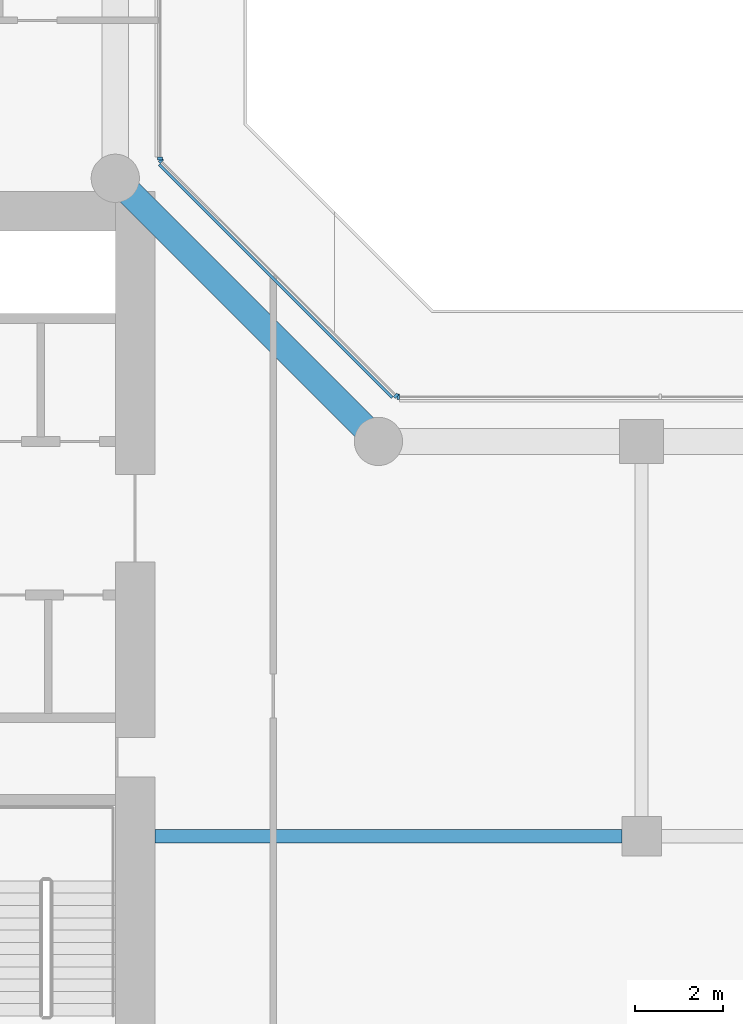
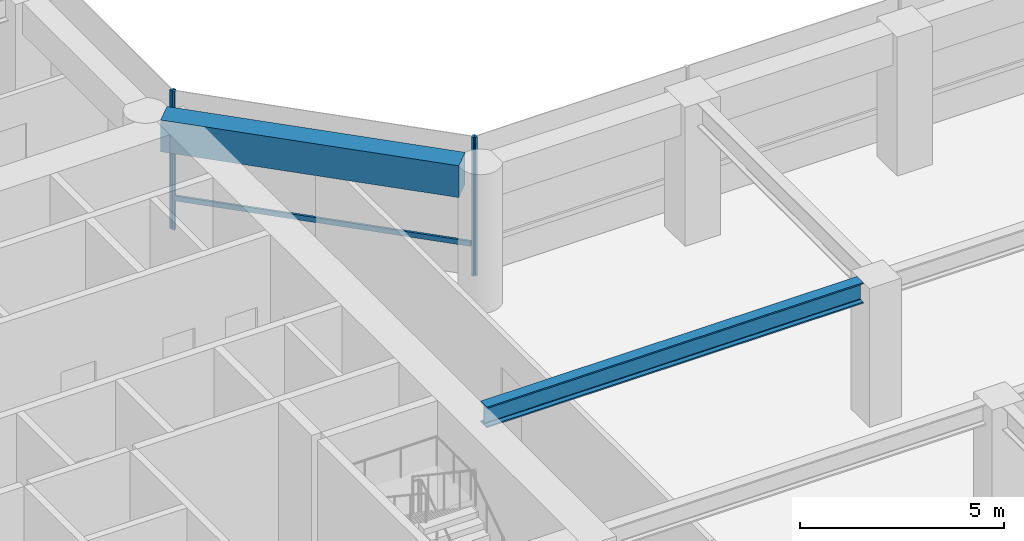
# One storey, part 5 of 24: 5 members, 2 beams, 3 elements without a shape of their own.
"""IFC4 building model written with IfcOpenShell, lengths in metres."""

from ifc_helpers import new_model, si_unit, direction, frame, origin, origin_2d, place, context, subcontext, project, spatial, rectangle, i_section, extrude, material, layer, layer_set, material_profile, profile_set, type_object, element, aggregate, save


model = new_model("IFC4")

# Units and contexts
model_context = context("Model", 3, precision=1e-05, world=origin(), true_north=direction((0.0, 1.0)))
body_context = subcontext(model_context, "Body", "Model", "MODEL_VIEW")
ifc_project = project(units=[si_unit("LENGTHUNIT", "METRE"), si_unit("AREAUNIT", "SQUARE_METRE"), si_unit("VOLUMEUNIT", "CUBIC_METRE"), si_unit("PLANEANGLEUNIT", "RADIAN"), si_unit("MASSUNIT", "GRAM", prefix="KILO")], contexts=[model_context])

# Site, building, storey
site_placement = place(None, origin())
site = spatial("IfcSite", under=ifc_project, at=site_placement, CompositionType="ELEMENT")
building_placement = place(site_placement, origin())
building = spatial("IfcBuilding", under=site, at=building_placement, Name="Welwitschia Terrace Campus", CompositionType="ELEMENT")
storey_placement = place(building_placement, frame((0.0, 0.0, 24.5)))
storey = spatial("IfcBuildingStorey", under=building, at=storey_placement, Name="L05", CompositionType="ELEMENT", Elevation=24.5)

# Beam
ifc_material_1 = material(Name="Steel S355", Category="steel")
ifc_material_profile_1 = material_profile(ifc_material_1, i_section(OverallWidth=0.304931640625, OverallDepth=0.6201171875, WebThickness=0.02099609375, FlangeThickness=0.0400390625, FilletRadius=0.027099609375, at=origin_2d()))
ifc_profile_set_1 = profile_set([ifc_material_profile_1], Name="Steel S355")
beam_type_1 = type_object("IfcBeamType", Name="Interior girder HE 600 M", PredefinedType="BEAM", material=ifc_profile_set_1)
beam_1_placement = place(storey_placement, frame((24.90087890625, 11.0, 3.840087890625), z_axis=(1.0, 0.0, 0.0), x_axis=(0.0, 1.0, 0.0)))
element("IfcBeam", 1, at=beam_1_placement, inside=storey, type_object=beam_type_1, Name="Girder GB1", PredefinedType="BEAM", context=body_context, shape_type="SweptSolid", body=[
    extrude(i_section(OverallWidth=0.304931640625, OverallDepth=0.6201171875, WebThickness=0.02099609375, FlangeThickness=0.0400390625, FilletRadius=0.027099609375, at=origin_2d()), origin(), (0.0, 0.0, 1.0), 10.648681640625),
])

# Curtain wall, member
ifc_material_2 = material(Name="Bronze anodised aluminium", Category="aluminium")
ifc_layer = layer(ifc_material_2, 0.1201171875)
ifc_layer_set = layer_set([ifc_layer], Name="Bronze anodised aluminium")
curtain_wall_type = type_object("IfcCurtainWallType", Name="Curtain wall CW2 tower 6000", PredefinedType="NOTDEFINED", material=ifc_layer_set)
curtain_wall_1_placement = place(storey_placement, origin())
curtain_wall_1 = element("IfcCurtainWall", 2, at=curtain_wall_1_placement, inside=storey, type_object=curtain_wall_type, Name="CW L05.5.0", PredefinedType="NOTDEFINED")
ifc_material_3 = material(Name="Bronze anodised aluminium", Category="aluminium")
ifc_material_profile_2 = material_profile(ifc_material_3, rectangle(XDim=0.1201171875, YDim=0.06005859375, at=origin_2d()))
ifc_profile_set_2 = profile_set([ifc_material_profile_2], Name="Bronze anodised aluminium")
member_type_1 = type_object("IfcMemberType", Name="Mullion 60x120", PredefinedType="MULLION", material=ifc_profile_set_2)
member_1_placement = place(storey_placement, frame((30.452392578125, 21.02001953125, 0.0), z_axis=(0.0, 0.0, 1.0), x_axis=(0.0, -1.0, 0.0)))
member_1 = element("IfcMember", 3, at=member_1_placement, type_object=member_type_1, Name="Mullion L05.5.0.5", PredefinedType="MULLION", context=body_context, shape_type="SweptSolid", body=[
    extrude(rectangle(XDim=0.1201171875, YDim=0.06005859375, at=origin_2d()), origin(), (0.0, 0.0, 1.0), 4.14990234375),
])
aggregate(curtain_wall_1, [member_1])

# Curtain wall, members
curtain_wall_2_placement = place(storey_placement, origin())
curtain_wall_2 = element("IfcCurtainWall", 4, at=curtain_wall_2_placement, inside=storey, type_object=curtain_wall_type, Name="CW L05.6.0", PredefinedType="NOTDEFINED")
member_2_placement = place(storey_placement, frame((30.4013671875, 21.041259765625, 0.0), z_axis=(0.0, 0.0, 1.0), x_axis=(-0.707106781187, -0.707106781187, 0.0)))
member_2 = element("IfcMember", 5, at=member_2_placement, type_object=member_type_1, Name="Mullion L05.6.0.0", PredefinedType="MULLION", context=body_context, shape_type="SweptSolid", body=[
    extrude(rectangle(XDim=0.1201171875, YDim=0.06005859375, at=origin_2d()), origin(), (0.0, 0.0, 1.0), 4.14990234375),
])
member_3_placement = place(storey_placement, frame((25.041259765625, 26.4013671875, 0.0), z_axis=(0.0, 0.0, 1.0), x_axis=(-0.707106781187, -0.707106781187, 0.0)))
member_3 = element("IfcMember", 6, at=member_3_placement, type_object=member_type_1, Name="Mullion L05.6.0.1", PredefinedType="MULLION", context=body_context, shape_type="SweptSolid", body=[
    extrude(rectangle(XDim=0.1201171875, YDim=0.06005859375, at=origin_2d()), origin(), (0.0, 0.0, 1.0), 4.14990234375),
])

# Curtain wall, member
curtain_wall_3_placement = place(storey_placement, origin())
curtain_wall_3 = element("IfcCurtainWall", 7, at=curtain_wall_3_placement, inside=storey, type_object=curtain_wall_type, Name="CW L05.7.0", PredefinedType="NOTDEFINED")
member_4_placement = place(storey_placement, frame((25.02001953125, 26.452392578125, 0.0), z_axis=(0.0, 0.0, 1.0), x_axis=(-1.0, 0.0, 0.0)))
member_4 = element("IfcMember", 8, at=member_4_placement, type_object=member_type_1, Name="Mullion L05.7.0.0", PredefinedType="MULLION", context=body_context, shape_type="SweptSolid", body=[
    extrude(rectangle(XDim=0.1201171875, YDim=0.06005859375, at=origin_2d()), origin(), (0.0, 0.0, 1.0), 4.14990234375),
])
aggregate(curtain_wall_3, [member_4])

# Beam
ifc_material_4 = material(Name="Concrete C60/75", Category="concrete")
ifc_material_profile_3 = material_profile(ifc_material_4, rectangle(XDim=0.60009765625, YDim=0.949951171875, at=origin_2d()))
ifc_profile_set_3 = profile_set([ifc_material_profile_3], Name="Concrete C60/75")
beam_type_2 = type_object("IfcBeamType", Name="Ring spandrel 600x950", PredefinedType="SPANDREL", material=ifc_profile_set_3)
beam_2_placement = place(storey_placement, frame((29.673583984375, 20.326416015625, 3.675048828125), z_axis=(-0.707106781187, 0.707106781187, 0.0), x_axis=(-0.707106781187, -0.707106781187, 0.0)))
element("IfcBeam", 9, at=beam_2_placement, inside=storey, type_object=beam_type_2, Name="Spandrel SP1", PredefinedType="SPANDREL", context=body_context, shape_type="SweptSolid", body=[
    extrude(rectangle(XDim=0.60009765625, YDim=0.949951171875, at=origin_2d()), origin(), (0.0, 0.0, 1.0), 7.56201171875),
])

# Member
ifc_material_5 = material(Name="Bronze anodised aluminium", Category="aluminium")
ifc_material_profile_4 = material_profile(ifc_material_5, rectangle(XDim=0.06005859375, YDim=0.14990234375, at=origin_2d()))
ifc_profile_set_4 = profile_set([ifc_material_profile_4], Name="Bronze anodised aluminium")
member_type_2 = type_object("IfcMemberType", Name="Transom 60x150", PredefinedType="USERDEFINED", material=ifc_profile_set_4)
member_5_placement = place(storey_placement, frame((30.31640625, 20.998779296875, 1.0), z_axis=(-0.707106781187, 0.707106781187, 0.0), x_axis=(-0.707106781187, -0.707106781187, 0.0)))
member_5 = element("IfcMember", 10, at=member_5_placement, type_object=member_type_2, Name="Transom L05.6.0", ObjectType="TRANSOM", PredefinedType="USERDEFINED", context=body_context, shape_type="SweptSolid", body=[
    extrude(rectangle(XDim=0.06005859375, YDim=0.14990234375, at=origin_2d()), origin(), (0.0, 0.0, 1.0), 7.520263671875),
])

aggregate(curtain_wall_2, [member_2, member_3, member_5])

save(model, "model.ifc")
